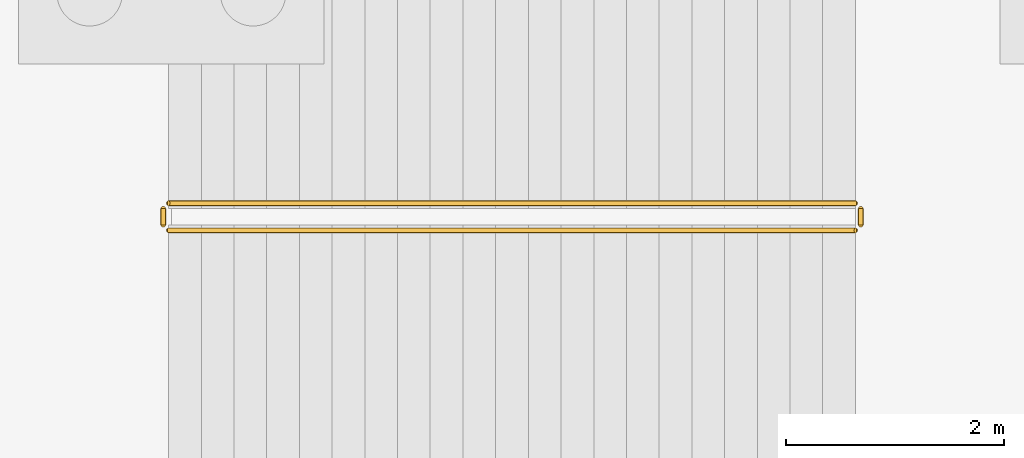
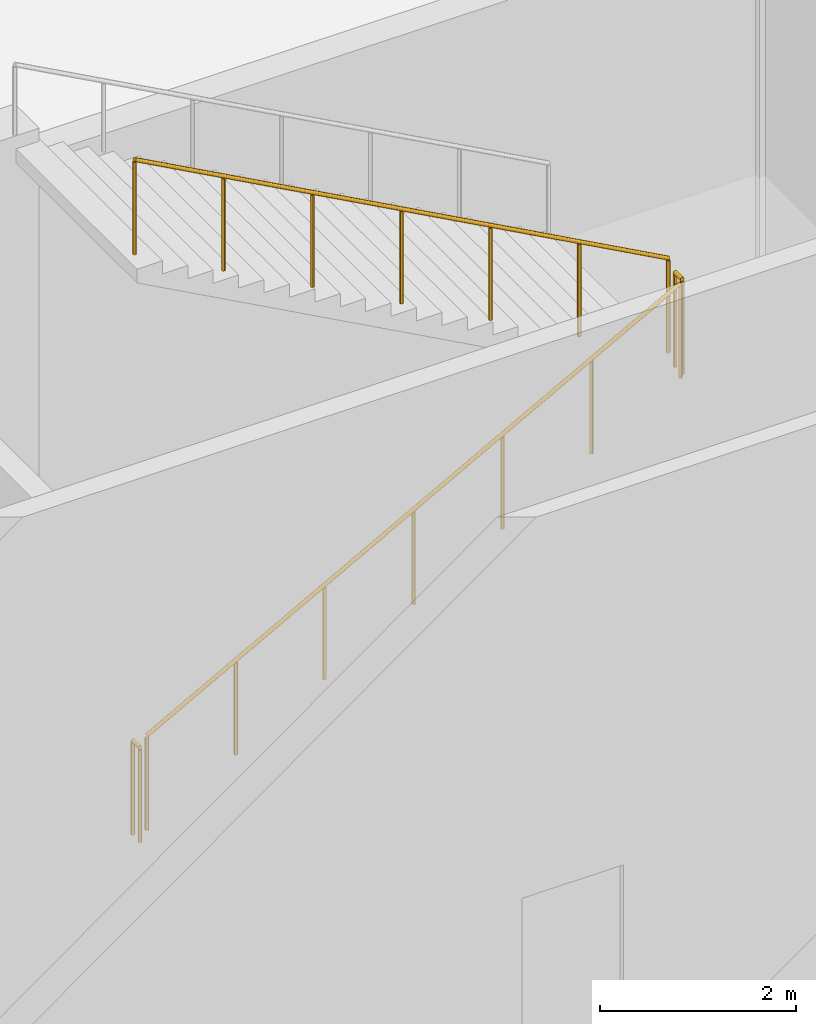
# One storey, part 232 of 239: 4 railings.
"""IFC4 building model written with IfcOpenShell, lengths in metres."""

from ifc_helpers import new_model, si_unit, direction, frame, origin, origin_2d, place, context, subcontext, project, spatial, circle, extrude, material, type_object, element, save


model = new_model("IFC4")

# Units and contexts
model_context = context("Model", 3, precision=1e-05, world=origin(), true_north=direction((0.0, 1.0)))
body_context = subcontext(model_context, "Body", "Model", "MODEL_VIEW")
ifc_project = project(units=[si_unit("LENGTHUNIT", "METRE"), si_unit("AREAUNIT", "SQUARE_METRE"), si_unit("VOLUMEUNIT", "CUBIC_METRE"), si_unit("PLANEANGLEUNIT", "RADIAN"), si_unit("MASSUNIT", "GRAM", prefix="KILO")], contexts=[model_context])

# Site, building, storey
site_placement = place(None, origin())
site = spatial("IfcSite", under=ifc_project, at=site_placement, CompositionType="ELEMENT")
building_placement = place(site_placement, origin())
building = spatial("IfcBuilding", under=site, at=building_placement, Name="Okhra Congress Centre", CompositionType="ELEMENT")
storey_placement = place(building_placement, origin())
storey = spatial("IfcBuildingStorey", under=building, at=storey_placement, Name="L00", CompositionType="ELEMENT", Elevation=0.0)

# Railings
ifc_material = material(Name="Painted steel tube guard with vertical steel balusters", Category="steel")
railing_type = type_object("IfcRailingType", Name="Steel stair guard 1200", PredefinedType="GUARDRAIL", material=ifc_material)
railing_1_placement = place(storey_placement, frame((144.97509765625, 225.074951171875, 0.16357421875)))
element("IfcRailing", 1, at=railing_1_placement, inside=storey, type_object=railing_type, Name="L00 ES3 stair guard 1", PredefinedType="GUARDRAIL", context=body_context, shape_type="SweptSolid", body=[
    extrude(circle(Radius=0.02392578125, at=origin_2d()), frame((0.0, 0.0, 1.17578125), z_axis=(0.877879970424, 0.0, 0.478880734138), x_axis=(0.0, 1.0, 0.0)), (0.0, 0.0, 1.0), 7.17626953125),
    extrude(circle(Radius=0.02099609375, at=origin_2d()), origin(), (0.0, 0.0, 1.0), 1.15185546875),
    extrude(circle(Radius=0.02099609375, at=origin_2d()), frame((1.050048828125, 0.0, 0.57275390625)), (0.0, 0.0, 1.0), 1.15185546875),
    extrude(circle(Radius=0.02099609375, at=origin_2d()), frame((2.099853515625, 0.0, 1.1455078125)), (0.0, 0.0, 1.0), 1.15185546875),
    extrude(circle(Radius=0.02099609375, at=origin_2d()), frame((3.14990234375, 0.0, 1.71826171875)), (0.0, 0.0, 1.0), 1.15185546875),
    extrude(circle(Radius=0.02099609375, at=origin_2d()), frame((4.199951171875, 0.0, 2.291015625)), (0.0, 0.0, 1.0), 1.15185546875),
    extrude(circle(Radius=0.02099609375, at=origin_2d()), frame((5.249755859375, 0.0, 2.86376953125)), (0.0, 0.0, 1.0), 1.15185546875),
    extrude(circle(Radius=0.02099609375, at=origin_2d()), frame((6.2998046875, 0.0, 3.4365234375)), (0.0, 0.0, 1.0), 1.15185546875),
])
railing_2_placement = place(storey_placement, frame((151.324951171875, 225.125, 3.60009765625)))
element("IfcRailing", 2, at=railing_2_placement, inside=storey, type_object=railing_type, Name="L00 ES3 stair guard 2", PredefinedType="GUARDRAIL", context=body_context, shape_type="SweptSolid", body=[
    extrude(circle(Radius=0.02392578125, at=origin_2d()), frame((0.0, 0.0, 1.17578125), z_axis=(0.0, 1.0, 0.0), x_axis=(-1.0, 0.0, 0.0)), (0.0, 0.0, 1.0), 0.14990234375),
    extrude(circle(Radius=0.02099609375, at=origin_2d()), origin(), (0.0, 0.0, 1.0), 1.15185546875),
    extrude(circle(Radius=0.02099609375, at=origin_2d()), frame((0.0, 0.14990234375, 0.0)), (0.0, 0.0, 1.0), 1.15185546875),
])
railing_3_placement = place(storey_placement, frame((151.27490234375, 225.324951171875, 3.763671875)))
element("IfcRailing", 3, at=railing_3_placement, inside=storey, type_object=railing_type, Name="L00 ES3 stair guard 3", PredefinedType="GUARDRAIL", context=body_context, shape_type="SweptSolid", body=[
    extrude(circle(Radius=0.02392578125, at=origin_2d()), frame((0.0, 0.0, 1.17578125), z_axis=(-0.877894272721, 0.0, 0.47885451436), x_axis=(0.0, -1.0, 0.0)), (0.0, 0.0, 1.0), 7.176025390625),
    extrude(circle(Radius=0.02099609375, at=origin_2d()), origin(), (0.0, 0.0, 1.0), 1.15185546875),
    extrude(circle(Radius=0.02099609375, at=origin_2d()), frame((-1.050048828125, 0.0, 0.57275390625)), (0.0, 0.0, 1.0), 1.15185546875),
    extrude(circle(Radius=0.02099609375, at=origin_2d()), frame((-2.099853515625, 0.0, 1.1455078125)), (0.0, 0.0, 1.0), 1.15185546875),
    extrude(circle(Radius=0.02099609375, at=origin_2d()), frame((-3.14990234375, 0.0, 1.71826171875)), (0.0, 0.0, 1.0), 1.15185546875),
    extrude(circle(Radius=0.02099609375, at=origin_2d()), frame((-4.199951171875, 0.0, 2.290771484375)), (0.0, 0.0, 1.0), 1.15185546875),
    extrude(circle(Radius=0.02099609375, at=origin_2d()), frame((-5.249755859375, 0.0, 2.863525390625)), (0.0, 0.0, 1.0), 1.15185546875),
    extrude(circle(Radius=0.02099609375, at=origin_2d()), frame((-6.2998046875, 0.0, 3.436279296875)), (0.0, 0.0, 1.0), 1.15185546875),
])
railing_4_placement = place(storey_placement, frame((144.925048828125, 225.125, 0.0)))
element("IfcRailing", 4, at=railing_4_placement, inside=storey, type_object=railing_type, Name="L00 ES3 stair guard 4", PredefinedType="GUARDRAIL", context=body_context, shape_type="SweptSolid", body=[
    extrude(circle(Radius=0.02392578125, at=origin_2d()), frame((0.0, 0.0, 1.17578125), z_axis=(0.0, 1.0, 0.0), x_axis=(-1.0, 0.0, 0.0)), (0.0, 0.0, 1.0), 0.14990234375),
    extrude(circle(Radius=0.02099609375, at=origin_2d()), origin(), (0.0, 0.0, 1.0), 1.15185546875),
    extrude(circle(Radius=0.02099609375, at=origin_2d()), frame((0.0, 0.14990234375, 0.0)), (0.0, 0.0, 1.0), 1.15185546875),
])

save(model, "model.ifc")
